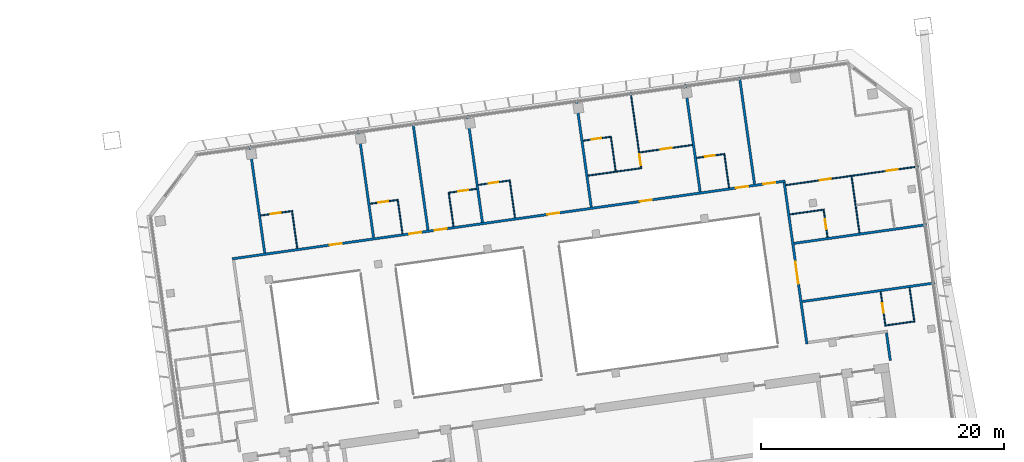
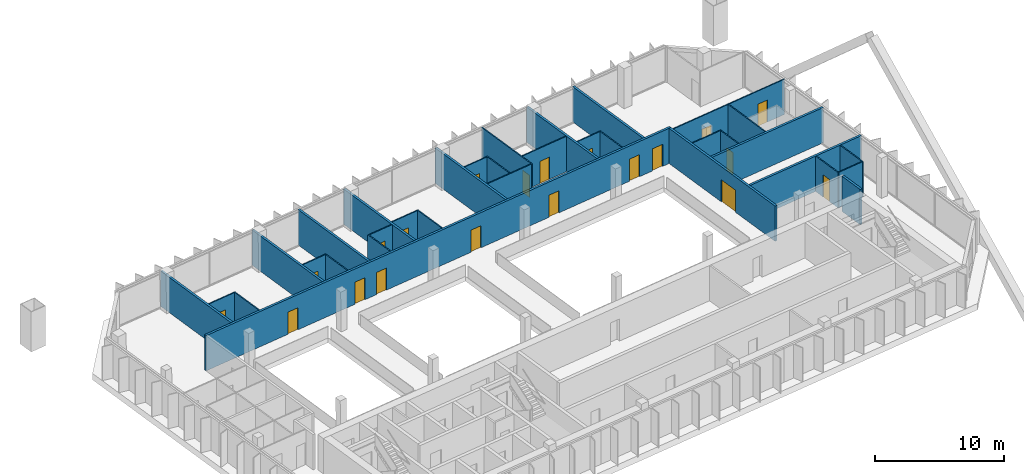
# One storey, part 23 of 28: 34 walls, 20 doors, 20 openings.
"""IFC4 building model written with IfcOpenShell, lengths in metres."""

import ifcopenshell
import ifcopenshell.guid

model = None  # the IFC model being written
_history = None  # IfcOwnerHistory: only IFC2X3 demands one
_inside = {}  # id of a spatial element -> (the spatial element, [elements in it])
_under = {}  # id of a project, library or spatial element -> (it, [spatial elements below it])
_declared = {}  # id of a project -> (the project, [libraries it declares])
_typed = {}  # id of a type object -> (the type object, [elements of that type])
_made_of = {}  # id of a material, layer set ... -> (it, [elements and type objects made of it])


def new_model(schema):
    """Start an empty IFC model of exactly this schema.

    Asked for "IFC4X3", IfcOpenShell would pick the latest addendum, in which some entities
    have other attributes; the version numbers below select the first issue.
    IFC2X3 requires an IfcOwnerHistory on every rooted entity: one is made here for all.
    """
    global model, _history
    if schema == "IFC4X3":
        model = ifcopenshell.file(schema_version=(4, 3, 0, 0))
    else:
        model = ifcopenshell.file(schema=schema)
    _inside.clear()
    _under.clear()
    _declared.clear()
    _typed.clear()
    _made_of.clear()
    _history = None
    if model.schema == "IFC2X3":
        org = make("IfcOrganization", Name="unknown")
        user = make(
            "IfcPersonAndOrganization",
            ThePerson=make("IfcPerson", FamilyName="unknown"),
            TheOrganization=org,
        )
        app = make(
            "IfcApplication",
            ApplicationDeveloper=org,
            Version="unknown",
            ApplicationFullName="unknown",
            ApplicationIdentifier="unknown",
        )
        _history = make(
            "IfcOwnerHistory",
            OwningUser=user,
            OwningApplication=app,
            ChangeAction="ADDED",
            CreationDate=0,
        )
    return model


def make(cls, **values):
    """One entity of the class cls with the attributes given. An attribute that is None is left unset."""
    return model.create_entity(
        cls, **{name: value for name, value in values.items() if value is not None}
    )


def rooted(cls, **values):
    """An entity with a GlobalId (a new one), such as an element, a storey or a relation."""
    return make(cls, GlobalId=ifcopenshell.guid.new(), OwnerHistory=_history, **values)


def si_unit(unit_type, name, prefix=None):
    """IfcSIUnit, for example si_unit("LENGTHUNIT", "METRE", prefix="MILLI")."""
    return make("IfcSIUnit", UnitType=unit_type, Prefix=prefix, Name=name)


def assignment(units):
    """IfcUnitAssignment: the units of a project."""
    return None if units is None else make("IfcUnitAssignment", Units=units)


def point(xyz):
    """IfcCartesianPoint."""
    return None if xyz is None else make("IfcCartesianPoint", Coordinates=xyz)


def direction(xyz):
    """IfcDirection."""
    return None if xyz is None else make("IfcDirection", DirectionRatios=xyz)


def frame(location, z_axis=None, x_axis=None):
    """IfcAxis2Placement3D, a coordinate frame: its origin and axes. An axis left out is left unset."""
    return make(
        "IfcAxis2Placement3D",
        Location=point(location),
        Axis=direction(z_axis),
        RefDirection=direction(x_axis),
    )


def frame_2d(location, x_axis=None):
    """IfcAxis2Placement2D, a coordinate frame in the plane: its origin and x axis."""
    return make(
        "IfcAxis2Placement2D", Location=point(location), RefDirection=direction(x_axis)
    )


def origin():
    """The frame at (0, 0, 0) with its axes left unset."""
    return frame((0.0, 0.0, 0.0))


def place(relative_to, where):
    """IfcLocalPlacement: puts the frame where relative to a parent placement (None: the world)."""
    return make(
        "IfcLocalPlacement", PlacementRelTo=relative_to, RelativePlacement=where
    )


def context(
    kind, dimensions, precision=None, world=None, true_north=None, identifier=None
):
    """IfcGeometricRepresentationContext, for example the 3D "Model" context."""
    return make(
        "IfcGeometricRepresentationContext",
        ContextIdentifier=identifier,
        ContextType=kind,
        CoordinateSpaceDimension=dimensions,
        Precision=precision,
        WorldCoordinateSystem=world,
        TrueNorth=true_north,
    )


def subcontext(parent, identifier, kind, view, scale=None):
    """IfcGeometricRepresentationSubContext, for example "Body" below "Model"."""
    return make(
        "IfcGeometricRepresentationSubContext",
        ContextIdentifier=identifier,
        ContextType=kind,
        ParentContext=parent,
        TargetScale=scale,
        TargetView=view,
    )


def project(units=None, contexts=None):
    """IfcProject with its units and contexts."""
    return rooted(
        "IfcProject",
        Name="project",
        RepresentationContexts=contexts,
        UnitsInContext=assignment(units),
    )


def spatial(cls, under=None, at=None, **own):
    """A site, building, storey or space (cls), placed at a placement, below another one or the project."""
    s = rooted(cls, ObjectPlacement=at, **own)
    if under is not None:
        _under.setdefault(under.id(), (under, []))[1].append(s)
    return s


def profile(cls, at=None, kind="AREA", **sizes):
    """A parametric profile (cls). Its sizes go by their IFC names, for example OverallWidth=200.0."""
    return make(cls, ProfileType=kind, Position=at, **sizes)


def rectangle(**sizes):
    """IfcRectangleProfileDef."""
    return profile("IfcRectangleProfileDef", **sizes)


def extrude(swept, where, along, depth):
    """IfcExtrudedAreaSolid: the profile swept, set in the frame where, extruded along a direction by depth."""
    return make(
        "IfcExtrudedAreaSolid",
        SweptArea=swept,
        Position=where,
        ExtrudedDirection=direction(along),
        Depth=depth,
    )


def shape(context_of_items, identifier, shape_type, items):
    """IfcShapeRepresentation: the items that make up one representation, for example the "Body"."""
    return make(
        "IfcShapeRepresentation",
        ContextOfItems=context_of_items,
        RepresentationIdentifier=identifier,
        RepresentationType=shape_type,
        Items=items,
    )


def material(Name=None, Category=None):
    """IfcMaterial."""
    return make("IfcMaterial", Name=Name, Category=Category)


def layer(
    of_material, thickness, ventilated=None, Name=None, Category=None, Priority=None
):
    """IfcMaterialLayer: one layer of a wall or slab, of a material (None: an air gap)."""
    return make(
        "IfcMaterialLayer",
        Material=of_material,
        LayerThickness=thickness,
        IsVentilated=ventilated,
        Name=Name,
        Category=Category,
        Priority=Priority,
    )


def layer_set(layers, Name=None):
    """IfcMaterialLayerSet."""
    return make("IfcMaterialLayerSet", MaterialLayers=layers, LayerSetName=Name)


def made_of(thing, what):
    """Note that an element or type object is made of a material, layer set ...; save() writes the relation."""
    if what is not None:
        _made_of.setdefault(what.id(), (what, []))[1].append(thing)
    return thing


def type_object(cls, material=None, **own):
    """A type object (cls), such as IfcWallType, which elements share."""
    return made_of(rooted(cls, **own), material)


def element(
    cls,
    number,
    at=None,
    inside=None,
    cuts=None,
    type_object=None,
    material=None,
    context=None,
    identifier="Body",
    shape_type=None,
    held_by="IfcProductDefinitionShape",
    body=None,
    shapes=None,
    **own,
):
    """One element of the class cls, such as IfcWall. Its Tag is "e" and its number.

    at: its placement. inside: the storey or other place that contains it. cuts: it is an
    opening in that element (IfcRelVoidsElement). A single representation is given by context,
    identifier, shape_type and body (its items); several are given by shapes. held_by: the class
    of the entity that holds the representations. save() writes the other relations.
    """
    e = rooted(cls, Tag="e%d" % number, ObjectPlacement=at, **own)
    if body is not None:
        shapes = [shape(context, identifier, shape_type, body)]
    if shapes is not None:
        e.Representation = make(held_by, Representations=shapes)
    if inside is not None:
        _inside.setdefault(inside.id(), (inside, []))[1].append(e)
    if cuts is not None:
        rooted(
            "IfcRelVoidsElement", RelatingBuildingElement=cuts, RelatedOpeningElement=e
        )
    if type_object is not None:
        _typed.setdefault(type_object.id(), (type_object, []))[1].append(e)
    return made_of(e, material)


def fill(opening, filler):
    """IfcRelFillsElement: the door or window that sits in an opening."""
    return rooted(
        "IfcRelFillsElement",
        RelatingOpeningElement=opening,
        RelatedBuildingElement=filler,
    )


def aggregate(whole, parts):
    """IfcRelAggregates: a whole, such as a stair, and the parts it consists of."""
    return rooted("IfcRelAggregates", RelatingObject=whole, RelatedObjects=parts)


def save(model, path):
    """Write the relations noted so far, then the file.

    IfcRelAggregates (storeys below a building ...), IfcRelContainedInSpatialStructure (elements
    in a storey), IfcRelDefinesByType, IfcRelAssociatesMaterial and IfcRelDeclares: one each for
    every whole, place, type object, material and project.
    """
    for whole, parts in _under.values():
        aggregate(whole, parts)
    for where, things in _inside.values():
        rooted(
            "IfcRelContainedInSpatialStructure",
            RelatedElements=things,
            RelatingStructure=where,
        )
    for kind, things in _typed.values():
        rooted("IfcRelDefinesByType", RelatedObjects=things, RelatingType=kind)
    for what, things in _made_of.values():
        rooted("IfcRelAssociatesMaterial", RelatedObjects=things, RelatingMaterial=what)
    for by, libraries in _declared.values():
        rooted("IfcRelDeclares", RelatingContext=by, RelatedDefinitions=libraries)
    model.write(path)


model = new_model("IFC4")

# Units and contexts
model_context = context("Model", 3, precision=1e-05, world=origin(), true_north=direction((0.0, 1.0)))
body_context = subcontext(model_context, "Body", "Model", "MODEL_VIEW")
ifc_project = project(units=[si_unit("LENGTHUNIT", "METRE"), si_unit("AREAUNIT", "SQUARE_METRE"), si_unit("VOLUMEUNIT", "CUBIC_METRE"), si_unit("PLANEANGLEUNIT", "RADIAN"), si_unit("MASSUNIT", "GRAM", prefix="KILO")], contexts=[model_context])

# Site, building, storey
site_placement = place(None, origin())
site = spatial("IfcSite", under=ifc_project, at=site_placement, CompositionType="ELEMENT")
building_placement = place(site_placement, origin())
building = spatial("IfcBuilding", under=site, at=building_placement, Name="Mirante Cascada Hotel Towers", CompositionType="ELEMENT")
storey_placement = place(building_placement, frame((0.0, 0.0, 165.0)))
storey = spatial("IfcBuildingStorey", under=building, at=storey_placement, Name="L38", CompositionType="ELEMENT", Elevation=165.0)

# Walls
ifc_material_1 = material(Name="Fire-rated plasterboard on metal studs")
ifc_layer_1 = layer(ifc_material_1, 0.2)
ifc_layer_set_1 = layer_set([ifc_layer_1], Name="Compartment wall 200 EI 120")
wall_type_1 = type_object("IfcWallType", Name="Compartment wall 200 EI 120", PredefinedType="PARTITIONING", material=ifc_layer_set_1)
wall_1_placement = place(storey_placement, frame((92.3869, 6.7679, 0.0), z_axis=(0.0, 0.0, 1.0), x_axis=(-0.9902682, -0.1391721, 0.0)))
element("IfcWall", 1, at=wall_1_placement, inside=storey, type_object=wall_type_1, Name="Wall 2-L38-08", PredefinedType="PARTITIONING", context=body_context, shape_type="SweptSolid", body=[
    extrude(rectangle(XDim=11.0001, YDim=0.2, at=frame_2d((5.5, 0.0))), origin(), (0.0, 0.0, 1.0), 3.35),
])
wall_2_placement = place(storey_placement, frame((80.8213, 10.0233, 0.0), z_axis=(0.0, 0.0, 1.0), x_axis=(0.990268, 0.1391733, 0.0)))
element("IfcWall", 2, at=wall_2_placement, inside=storey, type_object=wall_type_1, Name="Wall 2-L38-11", PredefinedType="PARTITIONING", context=body_context, shape_type="SweptSolid", body=[
    extrude(rectangle(XDim=11.0, YDim=0.2, at=frame_2d((5.5, 0.0))), origin(), (0.0, 0.0, 1.0), 3.35),
])

# Wall, openings, doors
wall_3_placement = place(storey_placement, frame((34.6489, 8.7516, 0.0), z_axis=(0.0, 0.0, 1.0), x_axis=(0.9902679, 0.1391743, 0.0)))
wall_3 = element("IfcWall", 3, at=wall_3_placement, inside=storey, type_object=wall_type_1, Name="Wall 2-L38-15", PredefinedType="PARTITIONING", context=body_context, shape_type="SweptSolid", body=[
    extrude(rectangle(XDim=45.9, YDim=0.2, at=frame_2d((22.95, 0.0))), origin(), (0.0, 0.0, 1.0), 3.35),
])
opening_1_placement = place(wall_3_placement, frame((8.081, 0.0, 0.0)))
opening_1 = element("IfcOpeningElement", 4, at=opening_1_placement, cuts=wall_3, Name="Opening D2-L38-11", PredefinedType="OPENING", context=body_context, shape_type="SweptSolid", body=[
    extrude(rectangle(XDim=1.0, YDim=2.1, at=frame_2d((0.5, 1.05))), frame((0.0, 0.1, 0.0), z_axis=(0.0, -1.0, 0.0), x_axis=(1.0, 0.0, 0.0)), (0.0, 0.0, 1.0), 0.2),
])
opening_2_placement = place(wall_3_placement, frame((14.7064, 0.0, 0.0)))
opening_2 = element("IfcOpeningElement", 5, at=opening_2_placement, cuts=wall_3, Name="Opening D2-L38-12", PredefinedType="OPENING", context=body_context, shape_type="SweptSolid", body=[
    extrude(rectangle(XDim=1.0, YDim=2.1, at=frame_2d((0.5, 1.05))), frame((0.0, 0.1, 0.0), z_axis=(0.0, -1.0, 0.0), x_axis=(1.0, 0.0, 0.0)), (0.0, 0.0, 1.0), 0.2),
])
opening_3_placement = place(wall_3_placement, frame((16.8233, 0.0, 0.0)))
opening_3 = element("IfcOpeningElement", 6, at=opening_3_placement, cuts=wall_3, Name="Opening D2-L38-13", PredefinedType="OPENING", context=body_context, shape_type="SweptSolid", body=[
    extrude(rectangle(XDim=1.0, YDim=2.1, at=frame_2d((0.5, 1.05))), frame((0.0, 0.1, 0.0), z_axis=(0.0, -1.0, 0.0), x_axis=(1.0, 0.0, 0.0)), (0.0, 0.0, 1.0), 0.2),
])
opening_4_placement = place(wall_3_placement, frame((26.1486, 0.0, 0.0)))
opening_4 = element("IfcOpeningElement", 7, at=opening_4_placement, cuts=wall_3, Name="Opening D2-L38-14", PredefinedType="OPENING", context=body_context, shape_type="SweptSolid", body=[
    extrude(rectangle(XDim=1.0, YDim=2.1, at=frame_2d((0.5, 1.05))), frame((0.0, 0.1, 0.0), z_axis=(0.0, -1.0, 0.0), x_axis=(1.0, 0.0, 0.0)), (0.0, 0.0, 1.0), 0.2),
])
opening_5_placement = place(wall_3_placement, frame((33.8324, 0.0, 0.0)))
opening_5 = element("IfcOpeningElement", 8, at=opening_5_placement, cuts=wall_3, Name="Opening D2-L38-15", PredefinedType="OPENING", context=body_context, shape_type="SweptSolid", body=[
    extrude(rectangle(XDim=1.0, YDim=2.1, at=frame_2d((0.5, 1.05))), frame((0.0, 0.1, 0.0), z_axis=(0.0, -1.0, 0.0), x_axis=(1.0, 0.0, 0.0)), (0.0, 0.0, 1.0), 0.2),
])
opening_6_placement = place(wall_3_placement, frame((41.8077, 0.0, 0.0)))
opening_6 = element("IfcOpeningElement", 9, at=opening_6_placement, cuts=wall_3, Name="Opening D2-L38-16", PredefinedType="OPENING", context=body_context, shape_type="SweptSolid", body=[
    extrude(rectangle(XDim=1.0, YDim=2.1, at=frame_2d((0.5, 1.05))), frame((0.0, 0.1, 0.0), z_axis=(0.0, -1.0, 0.0), x_axis=(1.0, 0.0, 0.0)), (0.0, 0.0, 1.0), 0.2),
])
opening_7_placement = place(wall_3_placement, frame((44.0831, 0.0, 0.0)))
opening_7 = element("IfcOpeningElement", 10, at=opening_7_placement, cuts=wall_3, Name="Opening D2-L38-17", PredefinedType="OPENING", context=body_context, shape_type="SweptSolid", body=[
    extrude(rectangle(XDim=1.0, YDim=2.1, at=frame_2d((0.5, 1.05))), frame((0.0, 0.1, 0.0), z_axis=(0.0, -1.0, 0.0), x_axis=(1.0, 0.0, 0.0)), (0.0, 0.0, 1.0), 0.2),
])
ifc_material_2 = material(Name="Fire-rated timber door leaf", Category="wood")
door_type_1 = type_object("IfcDoorType", Name="Entrance door DG1 1000x2100 EI 60", OperationType="SINGLE_SWING_LEFT", PredefinedType="DOOR", material=ifc_material_2)
door_1_placement = place(opening_1_placement, origin())
door_1 = element("IfcDoor", 11, at=door_1_placement, inside=storey, type_object=door_type_1, Name="Door D2-L38-11", OperationType="SINGLE_SWING_LEFT", OverallHeight=2.1, OverallWidth=1.0, PredefinedType="DOOR", context=body_context, shape_type="SweptSolid", body=[
    extrude(rectangle(XDim=1.0, YDim=2.1, at=frame_2d((0.5, 1.05))), frame((0.0, 0.025, 0.0), z_axis=(0.0, -1.0, 0.0), x_axis=(1.0, 0.0, 0.0)), (0.0, 0.0, 1.0), 0.05),
])
fill(opening_1, door_1)
door_2_placement = place(opening_2_placement, origin())
door_2 = element("IfcDoor", 12, at=door_2_placement, inside=storey, type_object=door_type_1, Name="Door D2-L38-12", OperationType="SINGLE_SWING_LEFT", OverallHeight=2.1, OverallWidth=1.0, PredefinedType="DOOR", context=body_context, shape_type="SweptSolid", body=[
    extrude(rectangle(XDim=1.0, YDim=2.1, at=frame_2d((0.5, 1.05))), frame((0.0, 0.025, 0.0), z_axis=(0.0, -1.0, 0.0), x_axis=(1.0, 0.0, 0.0)), (0.0, 0.0, 1.0), 0.05),
])
fill(opening_2, door_2)
door_3_placement = place(opening_3_placement, origin())
door_3 = element("IfcDoor", 13, at=door_3_placement, inside=storey, type_object=door_type_1, Name="Door D2-L38-13", OperationType="SINGLE_SWING_LEFT", OverallHeight=2.1, OverallWidth=1.0, PredefinedType="DOOR", context=body_context, shape_type="SweptSolid", body=[
    extrude(rectangle(XDim=1.0, YDim=2.1, at=frame_2d((0.5, 1.05))), frame((0.0, 0.025, 0.0), z_axis=(0.0, -1.0, 0.0), x_axis=(1.0, 0.0, 0.0)), (0.0, 0.0, 1.0), 0.05),
])
fill(opening_3, door_3)
door_4_placement = place(opening_4_placement, origin())
door_4 = element("IfcDoor", 14, at=door_4_placement, inside=storey, type_object=door_type_1, Name="Door D2-L38-14", OperationType="SINGLE_SWING_LEFT", OverallHeight=2.1, OverallWidth=1.0, PredefinedType="DOOR", context=body_context, shape_type="SweptSolid", body=[
    extrude(rectangle(XDim=1.0, YDim=2.1, at=frame_2d((0.5, 1.05))), frame((0.0, 0.025, 0.0), z_axis=(0.0, -1.0, 0.0), x_axis=(1.0, 0.0, 0.0)), (0.0, 0.0, 1.0), 0.05),
])
fill(opening_4, door_4)
door_5_placement = place(opening_5_placement, origin())
door_5 = element("IfcDoor", 15, at=door_5_placement, inside=storey, type_object=door_type_1, Name="Door D2-L38-15", OperationType="SINGLE_SWING_LEFT", OverallHeight=2.1, OverallWidth=1.0, PredefinedType="DOOR", context=body_context, shape_type="SweptSolid", body=[
    extrude(rectangle(XDim=1.0, YDim=2.1, at=frame_2d((0.5, 1.05))), frame((0.0, 0.025, 0.0), z_axis=(0.0, -1.0, 0.0), x_axis=(1.0, 0.0, 0.0)), (0.0, 0.0, 1.0), 0.05),
])
fill(opening_5, door_5)
door_6_placement = place(opening_6_placement, origin())
door_6 = element("IfcDoor", 16, at=door_6_placement, inside=storey, type_object=door_type_1, Name="Door D2-L38-16", OperationType="SINGLE_SWING_LEFT", OverallHeight=2.1, OverallWidth=1.0, PredefinedType="DOOR", context=body_context, shape_type="SweptSolid", body=[
    extrude(rectangle(XDim=1.0, YDim=2.1, at=frame_2d((0.5, 1.05))), frame((0.0, 0.025, 0.0), z_axis=(0.0, -1.0, 0.0), x_axis=(1.0, 0.0, 0.0)), (0.0, 0.0, 1.0), 0.05),
])
fill(opening_6, door_6)
door_7_placement = place(opening_7_placement, origin())
door_7 = element("IfcDoor", 17, at=door_7_placement, inside=storey, type_object=door_type_1, Name="Door D2-L38-17", OperationType="SINGLE_SWING_LEFT", OverallHeight=2.1, OverallWidth=1.0, PredefinedType="DOOR", context=body_context, shape_type="SweptSolid", body=[
    extrude(rectangle(XDim=1.0, YDim=2.1, at=frame_2d((0.5, 1.05))), frame((0.0, 0.025, 0.0), z_axis=(0.0, -1.0, 0.0), x_axis=(1.0, 0.0, 0.0)), (0.0, 0.0, 1.0), 0.05),
])
fill(opening_7, door_7)

# Walls
wall_4_placement = place(storey_placement, frame((36.084, 18.0418, 0.0), z_axis=(0.0, 0.0, 1.0), x_axis=(0.1391794, -0.9902672, 0.0)))
element("IfcWall", 18, at=wall_4_placement, inside=storey, type_object=wall_type_1, Name="Wall 2-L38-30", PredefinedType="PARTITIONING", context=body_context, shape_type="SweptSolid", body=[
    extrude(rectangle(XDim=8.9, YDim=0.2, at=frame_2d((4.45, 0.0))), origin(), (0.0, 0.0, 1.0), 3.35),
])
wall_5_placement = place(storey_placement, frame((45.0299, 19.299, 0.0), z_axis=(0.0, 0.0, 1.0), x_axis=(0.139181, -0.990267, 0.0)))
element("IfcWall", 19, at=wall_5_placement, inside=storey, type_object=wall_type_1, Name="Wall 2-L38-32", PredefinedType="PARTITIONING", context=body_context, shape_type="SweptSolid", body=[
    extrude(rectangle(XDim=8.8999, YDim=0.2, at=frame_2d((4.45, 0.0))), origin(), (0.0, 0.0, 1.0), 3.35),
])
for number, where, z_axis, x_axis, name in (
    (20, (49.5029, 19.9277, 0.0), (0.0, 0.0, 1.0), (0.1391684, -0.9902687, 0.0), "Wall 2-L38-34"),
    (21, (53.9758, 20.5563, 0.0), (0.0, 0.0, 1.0), (0.1391684, -0.9902687, 0.0), "Wall 2-L38-36"),
    (22, (62.9217, 21.8136, 0.0), (0.0, 0.0, 1.0), (0.1391684, -0.9902687, 0.0), "Wall 2-L38-38"),
    (23, (73.1062, 14.2574, 0.0), (0.0, 0.0, 1.0), (-0.1391684, 0.9902687, 0.0), "Wall 2-L38-41"),
    (24, (77.5792, 14.8861, 0.0), (0.0, 0.0, 1.0), (-0.1391794, 0.9902672, 0.0), "Wall 2-L38-43"),
):
    element("IfcWall", number, at=place(storey_placement, frame(where, z_axis=z_axis, x_axis=x_axis)), inside=storey, type_object=wall_type_1, Name=name, PredefinedType="PARTITIONING", context=body_context, shape_type="SweptSolid", body=[
        extrude(rectangle(XDim=8.9, YDim=0.2, at=frame_2d((4.45, 0.0))), origin(), (0.0, 0.0, 1.0), 3.35),
    ])

# Wall, opening, door
wall_6_placement = place(storey_placement, frame((80.0171, 15.0267, 0.0), z_axis=(0.0, 0.0, 1.0), x_axis=(0.1391716, -0.9902683, 0.0)))
wall_6 = element("IfcWall", 25, at=wall_6_placement, inside=storey, type_object=wall_type_1, Name="Wall 2-L38-44", PredefinedType="PARTITIONING", context=body_context, shape_type="SweptSolid", body=[
    extrude(rectangle(XDim=13.4, YDim=0.2, at=frame_2d((6.7, 0.0))), origin(), (0.0, 0.0, 1.0), 3.35),
])
opening_8_placement = place(wall_6_placement, frame((6.5834, 0.0, 0.0)))
opening_8 = element("IfcOpeningElement", 26, at=opening_8_placement, cuts=wall_6, Name="Opening D2-L38-30", PredefinedType="OPENING", context=body_context, shape_type="SweptSolid", body=[
    extrude(rectangle(XDim=1.8, YDim=2.1, at=frame_2d((0.9, 1.05))), frame((0.0, 0.1, 0.0), z_axis=(0.0, -1.0, 0.0), x_axis=(1.0, 0.0, 0.0)), (0.0, 0.0, 1.0), 0.2),
])
ifc_material_3 = material(Name="Fire-rated timber door leaf", Category="wood")
door_type_2 = type_object("IfcDoorType", Name="Suite double door DG2 1800x2100 EI 60", OperationType="DOUBLE_DOOR_SINGLE_SWING", PredefinedType="DOOR", material=ifc_material_3)
door_8_placement = place(opening_8_placement, origin())
door_8 = element("IfcDoor", 27, at=door_8_placement, inside=storey, type_object=door_type_2, Name="Door D2-L38-30", OperationType="DOUBLE_DOOR_SINGLE_SWING", OverallHeight=2.1, OverallWidth=1.8, PredefinedType="DOOR", context=body_context, shape_type="SweptSolid", body=[
    extrude(rectangle(XDim=0.895, YDim=2.1, at=frame_2d((0.4475, 1.05))), frame((0.0, 0.025, 0.0), z_axis=(0.0, -1.0, 0.0), x_axis=(1.0, 0.0, 0.0)), (0.0, 0.0, 1.0), 0.05),
    extrude(rectangle(XDim=0.895, YDim=2.1, at=frame_2d((1.3525, 1.05))), frame((0.0, 0.025, 0.0), z_axis=(0.0, -1.0, 0.0), x_axis=(1.0, 0.0, 0.0)), (0.0, 0.0, 1.0), 0.05),
])
fill(opening_8, door_8)

# Walls
wall_7_placement = place(storey_placement, frame((88.7379, 0.3981, 0.0), z_axis=(0.0, 0.0, 1.0), x_axis=(-0.1391749, 0.9902678, 0.0)))
element("IfcWall", 28, at=wall_7_placement, inside=storey, type_object=wall_type_1, Name="Wall 2-L38-47", PredefinedType="PARTITIONING", context=body_context, shape_type="SweptSolid", body=[
    extrude(rectangle(XDim=2.3, YDim=0.2, at=frame_2d((1.15, 0.0))), origin(), (0.0, 0.0, 1.0), 3.35),
])
ifc_material_4 = material(Name="Plasterboard on metal studs")
ifc_layer_2 = layer(ifc_material_4, 0.1)
ifc_layer_set_2 = layer_set([ifc_layer_2], Name="Partition 100")
wall_type_2 = type_object("IfcWallType", Name="Partition 100", PredefinedType="PARTITIONING", material=ifc_layer_set_2)
wall_8_placement = place(storey_placement, frame((88.3838, 3.2768, 0.0), z_axis=(0.0, 0.0, 1.0), x_axis=(0.9902678, 0.1391749, 0.0)))
element("IfcWall", 29, at=wall_8_placement, inside=storey, type_object=wall_type_2, Name="Wall 2-L38-05", PredefinedType="PARTITIONING", context=body_context, shape_type="SweptSolid", body=[
    extrude(rectangle(XDim=2.3, YDim=0.1, at=frame_2d((1.15, 0.0))), origin(), (0.0, 0.0, 1.0), 3.35),
])
wall_9_placement = place(storey_placement, frame((83.3095, 12.7966, 0.0), z_axis=(0.0, 0.0, 1.0), x_axis=(-0.9902649, -0.1391957, 0.0)))
element("IfcWall", 30, at=wall_9_placement, inside=storey, type_object=wall_type_2, Name="Wall 2-L38-12", PredefinedType="PARTITIONING", context=body_context, shape_type="SweptSolid", body=[
    extrude(rectangle(XDim=2.8499, YDim=0.1, at=frame_2d((1.425, 0.0))), origin(), (0.0, 0.0, 1.0), 3.35),
])

# Wall, openings, doors
wall_10_placement = place(storey_placement, frame((91.0415, 16.3405, 0.0), z_axis=(0.0, 0.0, 1.0), x_axis=(-0.990268, -0.1391733, 0.0)))
wall_10 = element("IfcWall", 31, at=wall_10_placement, inside=storey, type_object=wall_type_2, Name="Wall 2-L38-14", PredefinedType="PARTITIONING", context=body_context, shape_type="SweptSolid", body=[
    extrude(rectangle(XDim=11.0, YDim=0.1, at=frame_2d((5.5, 0.0))), origin(), (0.0, 0.0, 1.0), 3.35),
])
opening_9_placement = place(wall_10_placement, frame((7.275, 0.0, 0.0)))
opening_9 = element("IfcOpeningElement", 32, at=opening_9_placement, cuts=wall_10, Name="Opening D2-L38-09", PredefinedType="OPENING", context=body_context, shape_type="SweptSolid", body=[
    extrude(rectangle(XDim=0.9, YDim=2.1, at=frame_2d((0.45, 1.05))), frame((0.0, 0.05, 0.0), z_axis=(0.0, -1.0, 0.0), x_axis=(1.0, 0.0, 0.0)), (0.0, 0.0, 1.0), 0.1),
])
opening_10_placement = place(wall_10_placement, frame((1.725, 0.0, 0.0)))
opening_10 = element("IfcOpeningElement", 33, at=opening_10_placement, cuts=wall_10, Name="Opening D2-L38-10", PredefinedType="OPENING", context=body_context, shape_type="SweptSolid", body=[
    extrude(rectangle(XDim=0.9, YDim=2.1, at=frame_2d((0.45, 1.05))), frame((0.0, 0.05, 0.0), z_axis=(0.0, -1.0, 0.0), x_axis=(1.0, 0.0, 0.0)), (0.0, 0.0, 1.0), 0.1),
])
ifc_material_5 = material(Name="Timber door leaf", Category="wood")
door_type_3 = type_object("IfcDoorType", Name="Room door DG3 900x2100", OperationType="SINGLE_SWING_LEFT", PredefinedType="DOOR", material=ifc_material_5)
door_9_placement = place(opening_9_placement, frame((0.9, 0.0, 0.0), z_axis=(0.0, 0.0, 1.0), x_axis=(-1.0, 0.0, 0.0)))
door_9 = element("IfcDoor", 34, at=door_9_placement, inside=storey, type_object=door_type_3, Name="Door D2-L38-09", OperationType="SINGLE_SWING_RIGHT", OverallHeight=2.1, OverallWidth=0.9, PredefinedType="DOOR", context=body_context, shape_type="SweptSolid", body=[
    extrude(rectangle(XDim=0.9, YDim=2.1, at=frame_2d((0.45, 1.05))), frame((0.0, 0.025, 0.0), z_axis=(0.0, -1.0, 0.0), x_axis=(1.0, 0.0, 0.0)), (0.0, 0.0, 1.0), 0.05),
])
fill(opening_9, door_9)
door_10_placement = place(opening_10_placement, frame((0.9, 0.0, 0.0), z_axis=(0.0, 0.0, 1.0), x_axis=(-1.0, 0.0, 0.0)))
door_10 = element("IfcDoor", 35, at=door_10_placement, inside=storey, type_object=door_type_3, Name="Door D2-L38-10", OperationType="SINGLE_SWING_RIGHT", OverallHeight=2.1, OverallWidth=0.9, PredefinedType="DOOR", context=body_context, shape_type="SweptSolid", body=[
    extrude(rectangle(XDim=0.9, YDim=2.1, at=frame_2d((0.45, 1.05))), frame((0.0, 0.025, 0.0), z_axis=(0.0, -1.0, 0.0), x_axis=(1.0, 0.0, 0.0)), (0.0, 0.0, 1.0), 0.05),
])
fill(opening_10, door_10)

# Wall
wall_11_placement = place(storey_placement, frame((68.2219, 16.1965, 0.0), z_axis=(0.0, 0.0, 1.0), x_axis=(-0.9902698, -0.1391608, 0.0)))
element("IfcWall", 36, at=wall_11_placement, inside=storey, type_object=wall_type_2, Name="Wall 2-L38-16", PredefinedType="PARTITIONING", context=body_context, shape_type="SweptSolid", body=[
    extrude(rectangle(XDim=4.3669, YDim=0.1, at=frame_2d((2.1834, 0.0))), origin(), (0.0, 0.0, 1.0), 3.35),
])

# Wall, opening, door
wall_12_placement = place(storey_placement, frame((45.9779, 13.2723, 0.0), z_axis=(0.0, 0.0, 1.0), x_axis=(0.9902643, 0.1391997, 0.0)))
wall_12 = element("IfcWall", 37, at=wall_12_placement, inside=storey, type_object=wall_type_2, Name="Wall 2-L38-17", PredefinedType="PARTITIONING", context=body_context, shape_type="SweptSolid", body=[
    extrude(rectangle(XDim=2.25, YDim=0.1, at=frame_2d((1.125, 0.0))), origin(), (0.0, 0.0, 1.0), 3.35),
])
opening_11_placement = place(wall_12_placement, frame((0.7, 0.0, 0.0)))
opening_11 = element("IfcOpeningElement", 38, at=opening_11_placement, cuts=wall_12, Name="Opening D2-L38-18", PredefinedType="OPENING", context=body_context, shape_type="SweptSolid", body=[
    extrude(rectangle(XDim=0.8, YDim=2.1, at=frame_2d((0.4, 1.05))), frame((0.0, 0.05, 0.0), z_axis=(0.0, -1.0, 0.0), x_axis=(1.0, 0.0, 0.0)), (0.0, 0.0, 1.0), 0.1),
])
ifc_material_6 = material(Name="Timber door leaf", Category="wood")
door_type_4 = type_object("IfcDoorType", Name="Bathroom door DG4 800x2100", OperationType="SINGLE_SWING_LEFT", PredefinedType="DOOR", material=ifc_material_6)
door_11_placement = place(opening_11_placement, origin())
door_11 = element("IfcDoor", 39, at=door_11_placement, inside=storey, type_object=door_type_4, Name="Door D2-L38-18", OperationType="SINGLE_SWING_LEFT", OverallHeight=2.1, OverallWidth=0.8, PredefinedType="DOOR", context=body_context, shape_type="SweptSolid", body=[
    extrude(rectangle(XDim=0.8, YDim=2.1, at=frame_2d((0.4, 1.05))), frame((0.0, 0.025, 0.0), z_axis=(0.0, -1.0, 0.0), x_axis=(1.0, 0.0, 0.0)), (0.0, 0.0, 1.0), 0.05),
])
fill(opening_11, door_11)

wall_13_placement = place(storey_placement, frame((54.7257, 14.5018, 0.0), z_axis=(0.0, 0.0, 1.0), x_axis=(-0.9902643, -0.1391997, 0.0)))
wall_13 = element("IfcWall", 40, at=wall_13_placement, inside=storey, type_object=wall_type_2, Name="Wall 2-L38-18", PredefinedType="PARTITIONING", context=body_context, shape_type="SweptSolid", body=[
    extrude(rectangle(XDim=2.25, YDim=0.1, at=frame_2d((1.125, 0.0))), origin(), (0.0, 0.0, 1.0), 3.35),
])
opening_12_placement = place(wall_13_placement, frame((0.7, 0.0, 0.0)))
opening_12 = element("IfcOpeningElement", 41, at=opening_12_placement, cuts=wall_13, Name="Opening D2-L38-19", PredefinedType="OPENING", context=body_context, shape_type="SweptSolid", body=[
    extrude(rectangle(XDim=0.8, YDim=2.1, at=frame_2d((0.4, 1.05))), frame((0.0, 0.05, 0.0), z_axis=(0.0, -1.0, 0.0), x_axis=(1.0, 0.0, 0.0)), (0.0, 0.0, 1.0), 0.1),
])
door_12_placement = place(opening_12_placement, frame((0.8, 0.0, 0.0), z_axis=(0.0, 0.0, 1.0), x_axis=(-1.0, 0.0, 0.0)))
door_12 = element("IfcDoor", 42, at=door_12_placement, inside=storey, type_object=door_type_4, Name="Door D2-L38-19", OperationType="SINGLE_SWING_RIGHT", OverallHeight=2.1, OverallWidth=0.8, PredefinedType="DOOR", context=body_context, shape_type="SweptSolid", body=[
    extrude(rectangle(XDim=0.8, YDim=2.1, at=frame_2d((0.4, 1.05))), frame((0.0, 0.025, 0.0), z_axis=(0.0, -1.0, 0.0), x_axis=(1.0, 0.0, 0.0)), (0.0, 0.0, 1.0), 0.05),
])
fill(opening_12, door_12)

wall_14_placement = place(storey_placement, frame((72.8156, 17.0441, 0.0), z_axis=(0.0, 0.0, 1.0), x_axis=(0.9902705, 0.1391561, 0.0)))
wall_14 = element("IfcWall", 43, at=wall_14_placement, inside=storey, type_object=wall_type_2, Name="Wall 2-L38-19", PredefinedType="PARTITIONING", context=body_context, shape_type="SweptSolid", body=[
    extrude(rectangle(XDim=2.25, YDim=0.1, at=frame_2d((1.125, 0.0))), origin(), (0.0, 0.0, 1.0), 3.35),
])
opening_13_placement = place(wall_14_placement, frame((0.7, 0.0, 0.0)))
opening_13 = element("IfcOpeningElement", 44, at=opening_13_placement, cuts=wall_14, Name="Opening D2-L38-20", PredefinedType="OPENING", context=body_context, shape_type="SweptSolid", body=[
    extrude(rectangle(XDim=0.8, YDim=2.1, at=frame_2d((0.4, 1.05))), frame((0.0, 0.05, 0.0), z_axis=(0.0, -1.0, 0.0), x_axis=(1.0, 0.0, 0.0)), (0.0, 0.0, 1.0), 0.1),
])
door_13_placement = place(opening_13_placement, origin())
door_13 = element("IfcDoor", 45, at=door_13_placement, inside=storey, type_object=door_type_4, Name="Door D2-L38-20", OperationType="SINGLE_SWING_LEFT", OverallHeight=2.1, OverallWidth=0.8, PredefinedType="DOOR", context=body_context, shape_type="SweptSolid", body=[
    extrude(rectangle(XDim=0.8, YDim=2.1, at=frame_2d((0.4, 1.05))), frame((0.0, 0.025, 0.0), z_axis=(0.0, -1.0, 0.0), x_axis=(1.0, 0.0, 0.0)), (0.0, 0.0, 1.0), 0.05),
])
fill(opening_13, door_13)

wall_15_placement = place(storey_placement, frame((39.5154, 12.667, 0.0), z_axis=(0.0, 0.0, 1.0), x_axis=(-0.990267, -0.1391809, 0.0)))
wall_15 = element("IfcWall", 46, at=wall_15_placement, inside=storey, type_object=wall_type_2, Name="Wall 2-L38-20", PredefinedType="PARTITIONING", context=body_context, shape_type="SweptSolid", body=[
    extrude(rectangle(XDim=2.5499, YDim=0.1, at=frame_2d((1.275, 0.0))), origin(), (0.0, 0.0, 1.0), 3.35),
])
opening_14_placement = place(wall_15_placement, frame((0.9, 0.0, 0.0)))
opening_14 = element("IfcOpeningElement", 47, at=opening_14_placement, cuts=wall_15, Name="Opening D2-L38-21", PredefinedType="OPENING", context=body_context, shape_type="SweptSolid", body=[
    extrude(rectangle(XDim=0.8, YDim=2.1, at=frame_2d((0.4, 1.05))), frame((0.0, 0.05, 0.0), z_axis=(0.0, -1.0, 0.0), x_axis=(1.0, 0.0, 0.0)), (0.0, 0.0, 1.0), 0.1),
])
door_14_placement = place(opening_14_placement, frame((0.8, 0.0, 0.0), z_axis=(0.0, 0.0, 1.0), x_axis=(-1.0, 0.0, 0.0)))
door_14 = element("IfcDoor", 48, at=door_14_placement, inside=storey, type_object=door_type_4, Name="Door D2-L38-21", OperationType="SINGLE_SWING_RIGHT", OverallHeight=2.1, OverallWidth=0.8, PredefinedType="DOOR", context=body_context, shape_type="SweptSolid", body=[
    extrude(rectangle(XDim=0.8, YDim=2.1, at=frame_2d((0.4, 1.05))), frame((0.0, 0.025, 0.0), z_axis=(0.0, -1.0, 0.0), x_axis=(1.0, 0.0, 0.0)), (0.0, 0.0, 1.0), 0.05),
])
fill(opening_14, door_14)

wall_16_placement = place(storey_placement, frame((54.882, 14.8267, 0.0), z_axis=(0.0, 0.0, 1.0), x_axis=(0.9902677, 0.1391755, 0.0)))
wall_16 = element("IfcWall", 49, at=wall_16_placement, inside=storey, type_object=wall_type_2, Name="Wall 2-L38-21", PredefinedType="PARTITIONING", context=body_context, shape_type="SweptSolid", body=[
    extrude(rectangle(XDim=2.55, YDim=0.1, at=frame_2d((1.275, 0.0))), origin(), (0.0, 0.0, 1.0), 3.35),
])
opening_15_placement = place(wall_16_placement, frame((0.85, 0.0, 0.0)))
opening_15 = element("IfcOpeningElement", 50, at=opening_15_placement, cuts=wall_16, Name="Opening D2-L38-22", PredefinedType="OPENING", context=body_context, shape_type="SweptSolid", body=[
    extrude(rectangle(XDim=0.8, YDim=2.1, at=frame_2d((0.4, 1.05))), frame((0.0, 0.05, 0.0), z_axis=(0.0, -1.0, 0.0), x_axis=(1.0, 0.0, 0.0)), (0.0, 0.0, 1.0), 0.1),
])
door_15_placement = place(opening_15_placement, origin())
door_15 = element("IfcDoor", 51, at=door_15_placement, inside=storey, type_object=door_type_4, Name="Door D2-L38-22", OperationType="SINGLE_SWING_LEFT", OverallHeight=2.1, OverallWidth=0.8, PredefinedType="DOOR", context=body_context, shape_type="SweptSolid", body=[
    extrude(rectangle(XDim=0.8, YDim=2.1, at=frame_2d((0.4, 1.05))), frame((0.0, 0.025, 0.0), z_axis=(0.0, -1.0, 0.0), x_axis=(1.0, 0.0, 0.0)), (0.0, 0.0, 1.0), 0.05),
])
fill(opening_15, door_15)

wall_17_placement = place(storey_placement, frame((72.4644, 18.1056, 0.0), z_axis=(0.0, 0.0, 1.0), x_axis=(-0.9902666, -0.1391833, 0.0)))
wall_17 = element("IfcWall", 52, at=wall_17_placement, inside=storey, type_object=wall_type_2, Name="Wall 2-L38-22", PredefinedType="PARTITIONING", context=body_context, shape_type="SweptSolid", body=[
    extrude(rectangle(XDim=4.3669, YDim=0.1, at=frame_2d((2.1834, 0.0))), origin(), (0.0, 0.0, 1.0), 3.35),
])
opening_16_placement = place(wall_17_placement, frame((1.7085, 0.0, 0.0)))
opening_16 = element("IfcOpeningElement", 53, at=opening_16_placement, cuts=wall_17, Name="Opening D2-L38-23", PredefinedType="OPENING", context=body_context, shape_type="SweptSolid", body=[
    extrude(rectangle(XDim=0.9, YDim=2.1, at=frame_2d((0.45, 1.05))), frame((0.0, 0.05, 0.0), z_axis=(0.0, -1.0, 0.0), x_axis=(1.0, 0.0, 0.0)), (0.0, 0.0, 1.0), 0.1),
])
door_16_placement = place(opening_16_placement, origin())
door_16 = element("IfcDoor", 54, at=door_16_placement, inside=storey, type_object=door_type_3, Name="Door D2-L38-23", OperationType="SINGLE_SWING_LEFT", OverallHeight=2.1, OverallWidth=0.9, PredefinedType="DOOR", context=body_context, shape_type="SweptSolid", body=[
    extrude(rectangle(XDim=0.9, YDim=2.1, at=frame_2d((0.45, 1.05))), frame((0.0, 0.025, 0.0), z_axis=(0.0, -1.0, 0.0), x_axis=(1.0, 0.0, 0.0)), (0.0, 0.0, 1.0), 0.05),
])
fill(opening_16, door_16)

wall_18_placement = place(storey_placement, frame((65.722, 18.7737, 0.0), z_axis=(0.0, 0.0, 1.0), x_axis=(-0.9902705, -0.1391561, 0.0)))
wall_18 = element("IfcWall", 55, at=wall_18_placement, inside=storey, type_object=wall_type_2, Name="Wall 2-L38-24", PredefinedType="PARTITIONING", context=body_context, shape_type="SweptSolid", body=[
    extrude(rectangle(XDim=2.25, YDim=0.1, at=frame_2d((1.125, 0.0))), origin(), (0.0, 0.0, 1.0), 3.35),
])
opening_17_placement = place(wall_18_placement, frame((0.75, 0.0, 0.0)))
opening_17 = element("IfcOpeningElement", 56, at=opening_17_placement, cuts=wall_18, Name="Opening D2-L38-24", PredefinedType="OPENING", context=body_context, shape_type="SweptSolid", body=[
    extrude(rectangle(XDim=0.8, YDim=2.1, at=frame_2d((0.4, 1.05))), frame((0.0, 0.05, 0.0), z_axis=(0.0, -1.0, 0.0), x_axis=(1.0, 0.0, 0.0)), (0.0, 0.0, 1.0), 0.1),
])
door_17_placement = place(opening_17_placement, frame((0.8, 0.0, 0.0), z_axis=(0.0, 0.0, 1.0), x_axis=(-1.0, 0.0, 0.0)))
door_17 = element("IfcDoor", 57, at=door_17_placement, inside=storey, type_object=door_type_4, Name="Door D2-L38-24", OperationType="SINGLE_SWING_RIGHT", OverallHeight=2.1, OverallWidth=0.8, PredefinedType="DOOR", context=body_context, shape_type="SweptSolid", body=[
    extrude(rectangle(XDim=0.8, YDim=2.1, at=frame_2d((0.4, 1.05))), frame((0.0, 0.025, 0.0), z_axis=(0.0, -1.0, 0.0), x_axis=(1.0, 0.0, 0.0)), (0.0, 0.0, 1.0), 0.05),
])
fill(opening_17, door_17)

# Walls
wall_19_placement = place(storey_placement, frame((39.9964, 9.6042, 0.0), z_axis=(0.0, 0.0, 1.0), x_axis=(-0.1391765, 0.9902676, 0.0)))
element("IfcWall", 58, at=wall_19_placement, inside=storey, type_object=wall_type_2, Name="Wall 2-L38-31", PredefinedType="PARTITIONING", context=body_context, shape_type="SweptSolid", body=[
    extrude(rectangle(XDim=3.15, YDim=0.1, at=frame_2d((1.575, 0.0))), origin(), (0.0, 0.0, 1.0), 3.35),
])
wall_20_placement = place(storey_placement, frame((48.6452, 10.8197, 0.0), z_axis=(0.0, 0.0, 1.0), x_axis=(-0.1391613, 0.9902697, 0.0)))
element("IfcWall", 59, at=wall_20_placement, inside=storey, type_object=wall_type_2, Name="Wall 2-L38-33", PredefinedType="PARTITIONING", context=body_context, shape_type="SweptSolid", body=[
    extrude(rectangle(XDim=2.8499, YDim=0.1, at=frame_2d((1.425, 0.0))), origin(), (0.0, 0.0, 1.0), 3.35),
])
wall_21_placement = place(storey_placement, frame((52.8378, 11.4089, 0.0), z_axis=(0.0, 0.0, 1.0), x_axis=(-0.1391564, 0.9902704, 0.0)))
element("IfcWall", 60, at=wall_21_placement, inside=storey, type_object=wall_type_2, Name="Wall 2-L38-35", PredefinedType="PARTITIONING", context=body_context, shape_type="SweptSolid", body=[
    extrude(rectangle(XDim=2.85, YDim=0.1, at=frame_2d((1.425, 0.0))), origin(), (0.0, 0.0, 1.0), 3.35),
])
wall_22_placement = place(storey_placement, frame((57.8882, 12.1187, 0.0), z_axis=(0.0, 0.0, 1.0), x_axis=(-0.1391765, 0.9902676, 0.0)))
element("IfcWall", 61, at=wall_22_placement, inside=storey, type_object=wall_type_2, Name="Wall 2-L38-37", PredefinedType="PARTITIONING", context=body_context, shape_type="SweptSolid", body=[
    extrude(rectangle(XDim=3.15, YDim=0.1, at=frame_2d((1.575, 0.0))), origin(), (0.0, 0.0, 1.0), 3.35),
])
wall_23_placement = place(storey_placement, frame((66.1682, 15.9584, 0.0), z_axis=(0.0, 0.0, 1.0), x_axis=(-0.1391714, 0.9902683, 0.0)))
element("IfcWall", 62, at=wall_23_placement, inside=storey, type_object=wall_type_2, Name="Wall 2-L38-39", PredefinedType="PARTITIONING", context=body_context, shape_type="SweptSolid", body=[
    extrude(rectangle(XDim=2.9, YDim=0.1, at=frame_2d((1.45, 0.0))), origin(), (0.0, 0.0, 1.0), 3.35),
])

# Wall, opening, door
wall_24_placement = place(storey_placement, frame((67.3946, 22.4422, 0.0), z_axis=(0.0, 0.0, 1.0), x_axis=(0.139181, -0.990267, 0.0)))
wall_24 = element("IfcWall", 63, at=wall_24_placement, inside=storey, type_object=wall_type_2, Name="Wall 2-L38-40", PredefinedType="PARTITIONING", context=body_context, shape_type="SweptSolid", body=[
    extrude(rectangle(XDim=6.35, YDim=0.1, at=frame_2d((3.175, 0.0))), origin(), (0.0, 0.0, 1.0), 3.35),
])
opening_18_placement = place(wall_24_placement, frame((5.15, 0.0, 0.0)))
opening_18 = element("IfcOpeningElement", 64, at=opening_18_placement, cuts=wall_24, Name="Opening D2-L38-29", PredefinedType="OPENING", context=body_context, shape_type="SweptSolid", body=[
    extrude(rectangle(XDim=0.9, YDim=2.1, at=frame_2d((0.45, 1.05))), frame((0.0, 0.05, 0.0), z_axis=(0.0, -1.0, 0.0), x_axis=(1.0, 0.0, 0.0)), (0.0, 0.0, 1.0), 0.1),
])
door_18_placement = place(opening_18_placement, origin())
door_18 = element("IfcDoor", 65, at=door_18_placement, inside=storey, type_object=door_type_3, Name="Door D2-L38-29", OperationType="SINGLE_SWING_LEFT", OverallHeight=2.1, OverallWidth=0.9, PredefinedType="DOOR", context=body_context, shape_type="SweptSolid", body=[
    extrude(rectangle(XDim=0.9, YDim=2.1, at=frame_2d((0.45, 1.05))), frame((0.0, 0.025, 0.0), z_axis=(0.0, -1.0, 0.0), x_axis=(1.0, 0.0, 0.0)), (0.0, 0.0, 1.0), 0.05),
])
fill(opening_18, door_18)

# Wall
wall_25_placement = place(storey_placement, frame((75.0862, 17.4137, 0.0), z_axis=(0.0, 0.0, 1.0), x_axis=(0.1391957, -0.9902649, 0.0)))
element("IfcWall", 66, at=wall_25_placement, inside=storey, type_object=wall_type_2, Name="Wall 2-L38-42", PredefinedType="PARTITIONING", context=body_context, shape_type="SweptSolid", body=[
    extrude(rectangle(XDim=2.8499, YDim=0.1, at=frame_2d((1.425, 0.0))), origin(), (0.0, 0.0, 1.0), 3.35),
])

# Wall, opening, door
wall_26_placement = place(storey_placement, frame((83.5801, 10.512, 0.0), z_axis=(0.0, 0.0, 1.0), x_axis=(-0.1391561, 0.9902705, 0.0)))
wall_26 = element("IfcWall", 67, at=wall_26_placement, inside=storey, type_object=wall_type_2, Name="Wall 2-L38-45", PredefinedType="PARTITIONING", context=body_context, shape_type="SweptSolid", body=[
    extrude(rectangle(XDim=2.25, YDim=0.1, at=frame_2d((1.125, 0.0))), origin(), (0.0, 0.0, 1.0), 3.35),
])
opening_19_placement = place(wall_26_placement, frame((0.7, 0.0, 0.0)))
opening_19 = element("IfcOpeningElement", 68, at=opening_19_placement, cuts=wall_26, Name="Opening D2-L38-31", PredefinedType="OPENING", context=body_context, shape_type="SweptSolid", body=[
    extrude(rectangle(XDim=0.8, YDim=2.1, at=frame_2d((0.4, 1.05))), frame((0.0, 0.05, 0.0), z_axis=(0.0, -1.0, 0.0), x_axis=(1.0, 0.0, 0.0)), (0.0, 0.0, 1.0), 0.1),
])
door_19_placement = place(opening_19_placement, origin())
door_19 = element("IfcDoor", 69, at=door_19_placement, inside=storey, type_object=door_type_4, Name="Door D2-L38-31", OperationType="SINGLE_SWING_LEFT", OverallHeight=2.1, OverallWidth=0.8, PredefinedType="DOOR", context=body_context, shape_type="SweptSolid", body=[
    extrude(rectangle(XDim=0.8, YDim=2.1, at=frame_2d((0.4, 1.05))), frame((0.0, 0.025, 0.0), z_axis=(0.0, -1.0, 0.0), x_axis=(1.0, 0.0, 0.0)), (0.0, 0.0, 1.0), 0.05),
])
fill(opening_19, door_19)

# Wall
wall_27_placement = place(storey_placement, frame((85.5525, 15.5186, 0.0), z_axis=(0.0, 0.0, 1.0), x_axis=(0.139173, -0.9902681, 0.0)))
element("IfcWall", 70, at=wall_27_placement, inside=storey, type_object=wall_type_2, Name="Wall 2-L38-46", PredefinedType="PARTITIONING", context=body_context, shape_type="SweptSolid", body=[
    extrude(rectangle(XDim=4.6834, YDim=0.1, at=frame_2d((2.3417, 0.0))), origin(), (0.0, 0.0, 1.0), 3.35),
])

# Wall, opening, door
wall_28_placement = place(storey_placement, frame((87.9446, 6.0426, 0.0), z_axis=(0.0, 0.0, 1.0), x_axis=(0.1391564, -0.9902704, 0.0)))
wall_28 = element("IfcWall", 71, at=wall_28_placement, inside=storey, type_object=wall_type_2, Name="Wall 2-L38-48", PredefinedType="PARTITIONING", context=body_context, shape_type="SweptSolid", body=[
    extrude(rectangle(XDim=2.85, YDim=0.1, at=frame_2d((1.425, 0.0))), origin(), (0.0, 0.0, 1.0), 3.35),
])
opening_20_placement = place(wall_28_placement, frame((0.95, 0.0, 0.0)))
opening_20 = element("IfcOpeningElement", 72, at=opening_20_placement, cuts=wall_28, Name="Opening D2-L38-32", PredefinedType="OPENING", context=body_context, shape_type="SweptSolid", body=[
    extrude(rectangle(XDim=0.8, YDim=2.1, at=frame_2d((0.4, 1.05))), frame((0.0, 0.05, 0.0), z_axis=(0.0, -1.0, 0.0), x_axis=(1.0, 0.0, 0.0)), (0.0, 0.0, 1.0), 0.1),
])
door_20_placement = place(opening_20_placement, origin())
door_20 = element("IfcDoor", 73, at=door_20_placement, inside=storey, type_object=door_type_4, Name="Door D2-L38-32", OperationType="SINGLE_SWING_LEFT", OverallHeight=2.1, OverallWidth=0.8, PredefinedType="DOOR", context=body_context, shape_type="SweptSolid", body=[
    extrude(rectangle(XDim=0.8, YDim=2.1, at=frame_2d((0.4, 1.05))), frame((0.0, 0.025, 0.0), z_axis=(0.0, -1.0, 0.0), x_axis=(1.0, 0.0, 0.0)), (0.0, 0.0, 1.0), 0.05),
])
fill(opening_20, door_20)

# Wall
wall_29_placement = place(storey_placement, frame((90.7179, 3.5544, 0.0), z_axis=(0.0, 0.0, 1.0), x_axis=(-0.1391957, 0.9902649, 0.0)))
element("IfcWall", 74, at=wall_29_placement, inside=storey, type_object=wall_type_2, Name="Wall 2-L38-51", PredefinedType="PARTITIONING", context=body_context, shape_type="SweptSolid", body=[
    extrude(rectangle(XDim=2.8499, YDim=0.1, at=frame_2d((1.425, 0.0))), origin(), (0.0, 0.0, 1.0), 3.35),
])

save(model, "model.ifc")
